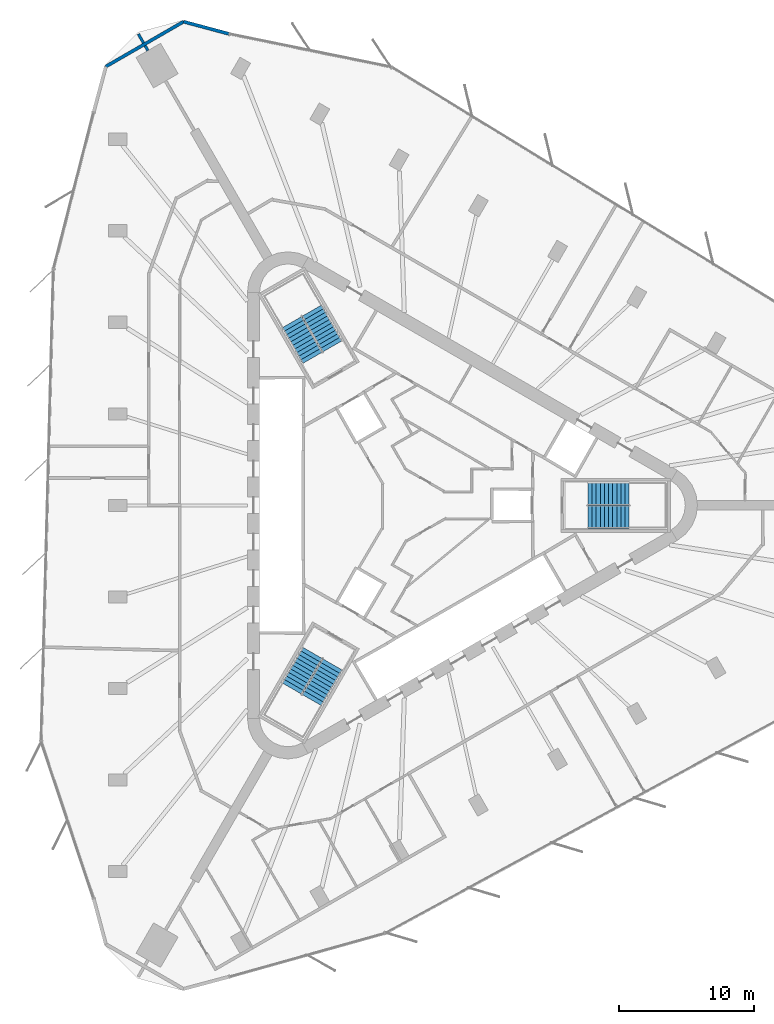
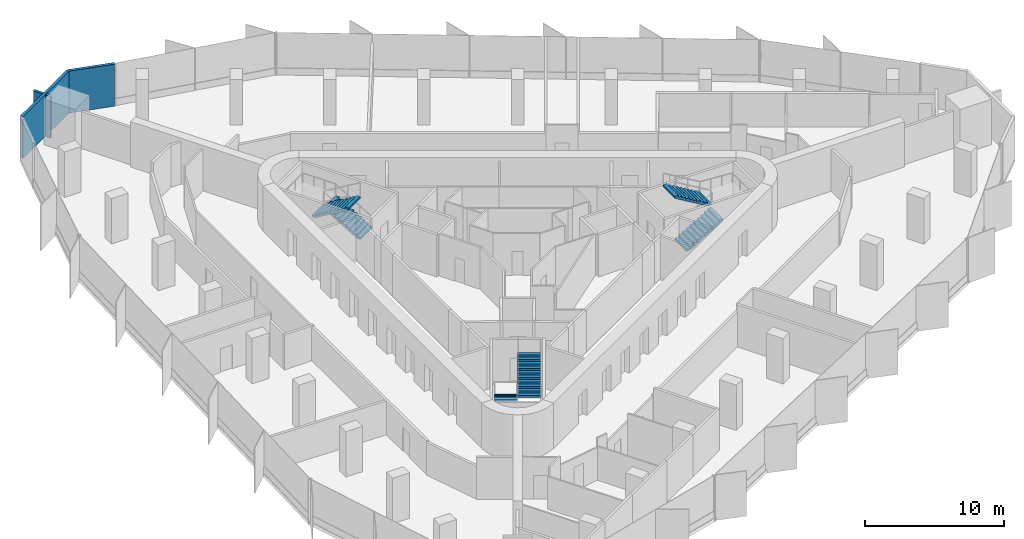
# One storey, part 13 of 14: 6 stair flights, 4 walls, 3 elements without a shape of their own.
"""IFC4 building model written with IfcOpenShell, lengths in metres."""

from ifc_helpers import new_model, si_unit, direction, frame, frame_2d, origin, place, context, subcontext, project, spatial, polyline, rectangle, outline, extrude, material, layer, layer_set, type_object, element, aggregate, save


model = new_model("IFC4")

# Units and contexts
model_context = context("Model", 3, precision=1e-05, world=origin(), true_north=direction((0.0, 1.0)))
body_context = subcontext(model_context, "Body", "Model", "MODEL_VIEW")
ifc_project = project(units=[si_unit("LENGTHUNIT", "METRE"), si_unit("AREAUNIT", "SQUARE_METRE"), si_unit("VOLUMEUNIT", "CUBIC_METRE"), si_unit("PLANEANGLEUNIT", "RADIAN"), si_unit("MASSUNIT", "GRAM", prefix="KILO")], contexts=[model_context])

# Site, building, storey
site_placement = place(None, origin())
site = spatial("IfcSite", under=ifc_project, at=site_placement, CompositionType="ELEMENT")
building_placement = place(site_placement, origin())
building = spatial("IfcBuilding", under=site, at=building_placement, Name="Tanit Gate Tower", CompositionType="ELEMENT")
storey_placement = place(building_placement, frame((0.0, 0.0, 249.199951171875)))
storey = spatial("IfcBuildingStorey", under=building, at=storey_placement, Name="L56", CompositionType="ELEMENT", Elevation=249.199951171875)

# Walls
ifc_material_1 = material(Name="Concrete C30/37 with bronze anodised aluminium cladding", Category="concrete")
ifc_layer_1 = layer(ifc_material_1, 0.239990234375)
ifc_layer_set_1 = layer_set([ifc_layer_1], Name="Facade wall bronze clad 240")
wall_type_1 = type_object("IfcWallType", Name="Facade wall bronze clad 240", PredefinedType="SOLIDWALL", material=ifc_layer_set_1)
wall_1_placement = place(storey_placement, frame((-13.470703125, 34.8876953125, 0.0), z_axis=(0.0, 0.0, 1.0), x_axis=(-0.965929859648, 0.258803991931, 0.0)))
element("IfcWall", 1, at=wall_1_placement, inside=storey, type_object=wall_type_1, Name="Bronze-clad facade wall L56 NW.arc1", PredefinedType="SOLIDWALL", context=body_context, shape_type="SweptSolid", body=[
    extrude(rectangle(XDim=3.474365234375, YDim=0.239990234375, at=frame_2d((1.7373046875, 0.0))), origin(), (0.0, 0.0, 1.0), 3.699951171875),
])
wall_2_placement = place(storey_placement, frame((-16.82666015625, 35.786865234375, 0.0), z_axis=(0.0, 0.0, 1.0), x_axis=(-0.866017876419, -0.500013037552, 0.0)))
element("IfcWall", 2, at=wall_2_placement, inside=storey, type_object=wall_type_1, Name="Bronze-clad facade wall L56 NW.arc2", PredefinedType="SOLIDWALL", context=body_context, shape_type="SweptSolid", body=[
    extrude(rectangle(XDim=6.642333984375, YDim=0.239990234375, at=frame_2d((3.3212890625, 0.0))), origin(), (0.0, 0.0, 1.0), 3.699951171875),
])
ifc_material_2 = material(Name="Fire-rated gypsum board partition")
ifc_layer_2 = layer(ifc_material_2, 0.199951171875)
ifc_layer_set_2 = layer_set([ifc_layer_2], Name="INT-WALL-COMPARTMENT")
wall_type_2 = type_object("IfcWallType", Name="INT-WALL-COMPARTMENT", PredefinedType="PARTITIONING", material=ifc_layer_set_2)
wall_3_placement = place(storey_placement, frame((-20.169677734375, 34.875, 0.0), z_axis=(0.0, 0.0, 1.0), x_axis=(0.499999897272, -0.866025463095, 0.0)))
element("IfcWall", 3, at=wall_3_placement, inside=storey, type_object=wall_type_2, Name="Wall Compartment W129", PredefinedType="PARTITIONING", context=body_context, shape_type="SweptSolid", body=[
    extrude(rectangle(XDim=0.76171875, YDim=0.199951171875, at=frame_2d((0.380859375, 0.0))), origin(), (0.0, 0.0, 1.0), 3.699951171875),
])
wall_4_placement = place(storey_placement, frame((-19.668701171875, 34.00732421875, 0.0), z_axis=(0.0, 0.0, 1.0), x_axis=(0.499739399214, -0.866175809448, 0.0)))
element("IfcWall", 4, at=wall_4_placement, inside=storey, type_object=wall_type_2, Name="Wall Compartment W129x1", PredefinedType="PARTITIONING", context=body_context, shape_type="SweptSolid", body=[
    extrude(rectangle(XDim=0.415771484375, YDim=0.199951171875, at=frame_2d((0.2080078125, 0.0))), origin(), (0.0, 0.0, 1.0), 3.699951171875),
])

# Stair, stair flights
ifc_material_3 = material(Name="Concrete C40/50", Category="concrete")
stair_type = type_object("IfcStairType", Name="INT-STAIR-EXIT", PredefinedType="HALF_TURN_STAIR", material=ifc_material_3)
stair_1_placement = place(storey_placement, origin())
stair_1 = element("IfcStair", 5, at=stair_1_placement, inside=storey, type_object=stair_type, Name="L56 STAIR S1", PredefinedType="HALF_TURN_STAIR")
ifc_material_4 = material(Name="Concrete C40/50", Category="concrete")
stair_flight_type = type_object("IfcStairFlightType", Name="INT-STAIR-FLIGHT", PredefinedType="STRAIGHT", material=ifc_material_4)
stair_flight_1_placement = place(storey_placement, frame((13.094970703125, -0.8525390625, 0.0), z_axis=(0.0, 0.0, 1.0), x_axis=(1.0, 0.0, 0.0)))
stair_flight_1 = element("IfcStairFlight", 6, at=stair_flight_1_placement, type_object=stair_flight_type, Name="S1 flight 1", NumberOfRisers=11, NumberOfTreads=10, PredefinedType="STRAIGHT", RiserHeight=0.181818182, TreadLength=0.3051, context=body_context, shape_type="SweptSolid", body=[
    extrude(outline(polyline([(0.0, 0.0), (0.0, 0.181884765625), (0.30517578125, 0.181884765625), (0.30517578125, 0.363525390625), (0.610107421875, 0.363525390625), (0.610107421875, 0.54541015625), (0.915283203125, 0.54541015625), (0.915283203125, 0.727294921875), (1.220458984375, 0.727294921875), (1.220458984375, 0.9091796875), (1.525390625, 0.9091796875), (1.525390625, 1.0908203125), (1.83056640625, 1.0908203125), (1.83056640625, 1.272705078125), (2.1357421875, 1.272705078125), (2.1357421875, 1.45458984375), (2.44091796875, 1.45458984375), (2.44091796875, 1.636474609375), (2.745849609375, 1.636474609375), (2.745849609375, 1.818115234375), (3.051025390625, 1.818115234375), (3.051025390625, 2.0), (3.051025390625, 1.643798828125), (0.292724609375, 0.0), (0.0, 0.0)])), frame((0.0, 0.84765625, 0.0), z_axis=(0.0, -1.0, 0.0), x_axis=(1.0, 0.0, 0.0)), (0.0, 0.0, 1.0), 1.695068359375),
])
stair_flight_2_placement = place(storey_placement, frame((16.14599609375, 0.8525390625, 2.0), z_axis=(0.0, 0.0, 1.0), x_axis=(-1.0, 0.0, 0.0)))
stair_flight_2 = element("IfcStairFlight", 7, at=stair_flight_2_placement, type_object=stair_flight_type, Name="S1 flight 2", NumberOfRisers=11, NumberOfTreads=10, PredefinedType="STRAIGHT", RiserHeight=0.181818182, TreadLength=0.3051, context=body_context, shape_type="SweptSolid", body=[
    extrude(outline(polyline([(0.0, 0.0), (0.0, 0.181884765625), (0.30517578125, 0.181884765625), (0.30517578125, 0.363525390625), (0.610107421875, 0.363525390625), (0.610107421875, 0.54541015625), (0.915283203125, 0.54541015625), (0.915283203125, 0.727294921875), (1.220458984375, 0.727294921875), (1.220458984375, 0.9091796875), (1.525390625, 0.9091796875), (1.525390625, 1.0908203125), (1.83056640625, 1.0908203125), (1.83056640625, 1.272705078125), (2.1357421875, 1.272705078125), (2.1357421875, 1.45458984375), (2.44091796875, 1.45458984375), (2.44091796875, 1.636474609375), (2.745849609375, 1.636474609375), (2.745849609375, 1.818115234375), (3.051025390625, 1.818115234375), (3.051025390625, 2.0), (3.051025390625, 1.643798828125), (0.292724609375, 0.0), (0.0, 0.0)])), frame((0.0, 0.84765625, 0.0), z_axis=(0.0, -1.0, 0.0), x_axis=(1.0, 0.0, 0.0)), (0.0, 0.0, 1.0), 1.695068359375),
])
aggregate(stair_1, [stair_flight_1, stair_flight_2])

stair_2_placement = place(storey_placement, origin())
stair_2 = element("IfcStair", 8, at=stair_2_placement, inside=storey, type_object=stair_type, Name="L56 STAIR S2", PredefinedType="HALF_TURN_STAIR")
stair_flight_3_placement = place(storey_placement, frame((-5.808349609375, 11.766357421875, 0.0), z_axis=(0.0, 0.0, 1.0), x_axis=(-0.5, 0.866025403784, 0.0)))
stair_flight_3 = element("IfcStairFlight", 9, at=stair_flight_3_placement, type_object=stair_flight_type, Name="S2 flight 1", NumberOfRisers=11, NumberOfTreads=10, PredefinedType="STRAIGHT", RiserHeight=0.181818182, TreadLength=0.30492, context=body_context, shape_type="SweptSolid", body=[
    extrude(outline(polyline([(0.0, 0.0), (0.0, 0.181884765625), (0.304931640625, 0.181884765625), (0.304931640625, 0.363525390625), (0.60986328125, 0.363525390625), (0.60986328125, 0.54541015625), (0.914794921875, 0.54541015625), (0.914794921875, 0.727294921875), (1.2197265625, 0.727294921875), (1.2197265625, 0.9091796875), (1.524658203125, 0.9091796875), (1.524658203125, 1.0908203125), (1.82958984375, 1.0908203125), (1.82958984375, 1.272705078125), (2.134521484375, 1.272705078125), (2.134521484375, 1.45458984375), (2.439453125, 1.45458984375), (2.439453125, 1.636474609375), (2.744384765625, 1.636474609375), (2.744384765625, 1.818115234375), (3.04931640625, 1.818115234375), (3.04931640625, 2.0), (3.04931640625, 1.6435546875), (0.292724609375, 0.0), (0.0, 0.0)])), frame((0.0, 0.84716796875, 0.0), z_axis=(0.0, -1.0, 0.0), x_axis=(1.0, 0.0, 0.0)), (0.0, 0.0, 1.0), 1.694091796875),
])
stair_flight_4_placement = place(storey_placement, frame((-8.810302734375, 13.553955078125, 2.0), z_axis=(0.0, 0.0, 1.0), x_axis=(0.5, -0.866025403784, 0.0)))
stair_flight_4 = element("IfcStairFlight", 10, at=stair_flight_4_placement, type_object=stair_flight_type, Name="S2 flight 2", NumberOfRisers=11, NumberOfTreads=10, PredefinedType="STRAIGHT", RiserHeight=0.181818182, TreadLength=0.30492, context=body_context, shape_type="SweptSolid", body=[
    extrude(outline(polyline([(0.0, 0.0), (0.0, 0.181884765625), (0.304931640625, 0.181884765625), (0.304931640625, 0.363525390625), (0.60986328125, 0.363525390625), (0.60986328125, 0.54541015625), (0.914794921875, 0.54541015625), (0.914794921875, 0.727294921875), (1.2197265625, 0.727294921875), (1.2197265625, 0.9091796875), (1.524658203125, 0.9091796875), (1.524658203125, 1.0908203125), (1.82958984375, 1.0908203125), (1.82958984375, 1.272705078125), (2.134521484375, 1.272705078125), (2.134521484375, 1.45458984375), (2.439453125, 1.45458984375), (2.439453125, 1.636474609375), (2.744384765625, 1.636474609375), (2.744384765625, 1.818115234375), (3.04931640625, 1.818115234375), (3.04931640625, 2.0), (3.04931640625, 1.6435546875), (0.292724609375, 0.0), (0.0, 0.0)])), frame((0.0, 0.84716796875, 0.0), z_axis=(0.0, -1.0, 0.0), x_axis=(1.0, 0.0, 0.0)), (0.0, 0.0, 1.0), 1.694091796875),
])
aggregate(stair_2, [stair_flight_3, stair_flight_4])

stair_3_placement = place(storey_placement, origin())
stair_3 = element("IfcStair", 11, at=stair_3_placement, inside=storey, type_object=stair_type, Name="L56 STAIR S3", PredefinedType="HALF_TURN_STAIR")
stair_flight_5_placement = place(storey_placement, frame((-7.285888671875, -10.914306640625, 0.0), z_axis=(0.0, 0.0, 1.0), x_axis=(-0.5, -0.866025403784, 0.0)))
stair_flight_5 = element("IfcStairFlight", 12, at=stair_flight_5_placement, type_object=stair_flight_type, Name="S3 flight 1", NumberOfRisers=11, NumberOfTreads=10, PredefinedType="STRAIGHT", RiserHeight=0.181818182, TreadLength=0.3051, context=body_context, shape_type="SweptSolid", body=[
    extrude(outline(polyline([(0.0, 0.0), (0.0, 0.181884765625), (0.30517578125, 0.181884765625), (0.30517578125, 0.363525390625), (0.610107421875, 0.363525390625), (0.610107421875, 0.54541015625), (0.915283203125, 0.54541015625), (0.915283203125, 0.727294921875), (1.220458984375, 0.727294921875), (1.220458984375, 0.9091796875), (1.525390625, 0.9091796875), (1.525390625, 1.0908203125), (1.83056640625, 1.0908203125), (1.83056640625, 1.272705078125), (2.1357421875, 1.272705078125), (2.1357421875, 1.45458984375), (2.44091796875, 1.45458984375), (2.44091796875, 1.636474609375), (2.745849609375, 1.636474609375), (2.745849609375, 1.818115234375), (3.051025390625, 1.818115234375), (3.051025390625, 2.0), (3.051025390625, 1.643798828125), (0.292724609375, 0.0), (0.0, 0.0)])), frame((0.0, 0.84765625, 0.0), z_axis=(0.0, -1.0, 0.0), x_axis=(1.0, 0.0, 0.0)), (0.0, 0.0, 1.0), 1.695068359375),
])
stair_flight_6_placement = place(storey_placement, frame((-7.334716796875, -14.4091796875, 2.0), z_axis=(0.0, 0.0, 1.0), x_axis=(0.5, 0.866025403784, 0.0)))
stair_flight_6 = element("IfcStairFlight", 13, at=stair_flight_6_placement, type_object=stair_flight_type, Name="S3 flight 2", NumberOfRisers=11, NumberOfTreads=10, PredefinedType="STRAIGHT", RiserHeight=0.181818182, TreadLength=0.3051, context=body_context, shape_type="SweptSolid", body=[
    extrude(outline(polyline([(0.0, 0.0), (0.0, 0.181884765625), (0.30517578125, 0.181884765625), (0.30517578125, 0.363525390625), (0.610107421875, 0.363525390625), (0.610107421875, 0.54541015625), (0.915283203125, 0.54541015625), (0.915283203125, 0.727294921875), (1.220458984375, 0.727294921875), (1.220458984375, 0.9091796875), (1.525390625, 0.9091796875), (1.525390625, 1.0908203125), (1.83056640625, 1.0908203125), (1.83056640625, 1.272705078125), (2.1357421875, 1.272705078125), (2.1357421875, 1.45458984375), (2.44091796875, 1.45458984375), (2.44091796875, 1.636474609375), (2.745849609375, 1.636474609375), (2.745849609375, 1.818115234375), (3.051025390625, 1.818115234375), (3.051025390625, 2.0), (3.051025390625, 1.643798828125), (0.292724609375, 0.0), (0.0, 0.0)])), frame((0.0, 0.84765625, 0.0), z_axis=(0.0, -1.0, 0.0), x_axis=(1.0, 0.0, 0.0)), (0.0, 0.0, 1.0), 1.695068359375),
])
aggregate(stair_3, [stair_flight_5, stair_flight_6])

save(model, "model.ifc")
